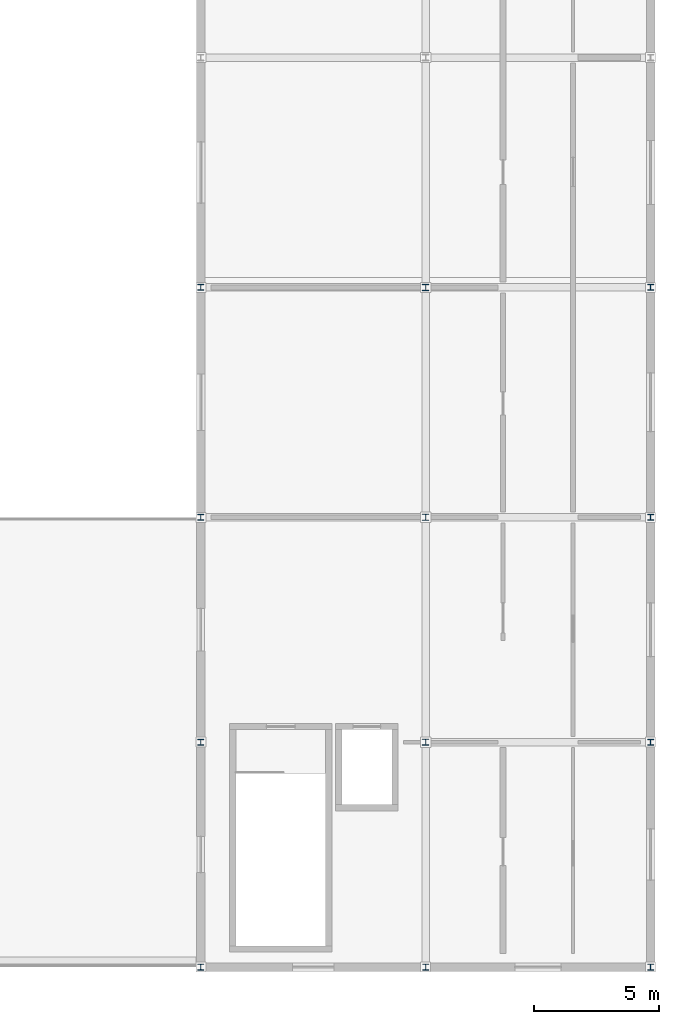
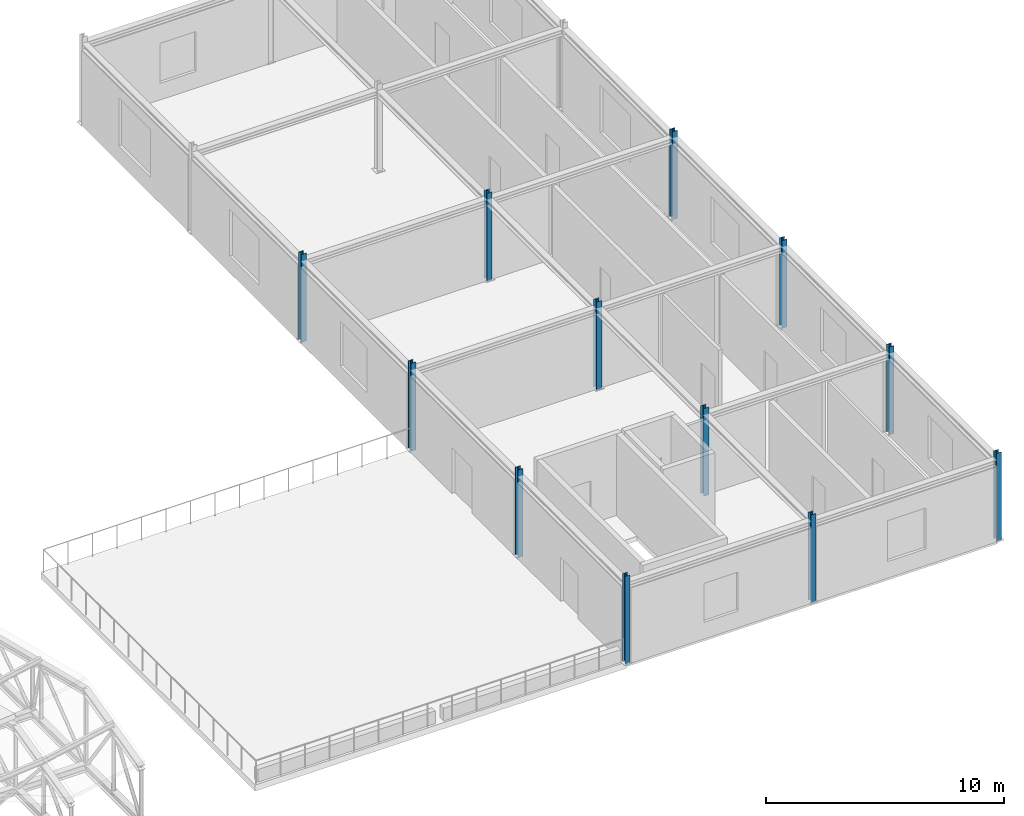
# One storey, part 4 of 55: 12 columns.
"""IFC4 building model written with IfcOpenShell, lengths in metres."""

from ifc_helpers import new_model, si_unit, direction, frame, origin, origin_2d, place, context, subcontext, project, spatial, i_section, extrude, material, material_profile, profile_set, type_object, element, save


model = new_model("IFC4")

# Units and contexts
model_context = context("Model", 3, precision=1e-05, world=origin(), true_north=direction((0.0, 1.0)))
body_context = subcontext(model_context, "Body", "Model", "MODEL_VIEW")
ifc_project = project(units=[si_unit("LENGTHUNIT", "METRE"), si_unit("AREAUNIT", "SQUARE_METRE"), si_unit("VOLUMEUNIT", "CUBIC_METRE"), si_unit("PLANEANGLEUNIT", "RADIAN"), si_unit("MASSUNIT", "GRAM", prefix="KILO")], contexts=[model_context])

# Site, building, storey
site_placement = place(None, origin())
site = spatial("IfcSite", under=ifc_project, at=site_placement, CompositionType="ELEMENT")
building_placement = place(site_placement, origin())
building = spatial("IfcBuilding", under=site, at=building_placement, Name="Bozkorgan Art Gallery", CompositionType="ELEMENT")
storey_placement = place(building_placement, frame((0.0, 0.0, 15.0)))
storey = spatial("IfcBuildingStorey", under=building, at=storey_placement, Name="L03", CompositionType="ELEMENT", Elevation=15.0)

# Columns
ifc_material = material(Name="Steel S355J2", Category="steel")
ifc_material_profile_1 = material_profile(ifc_material, i_section(OverallWidth=0.239990234375, OverallDepth=0.239990234375, WebThickness=0.010009765625, FlangeThickness=0.01708984375, FilletRadius=0.02099609375, at=origin_2d()), Name="HEB 240")
ifc_profile_set_1 = profile_set([ifc_material_profile_1], Name="Steel S355J2")
column_type_1 = type_object("IfcColumnType", Name="COLUMN-C-35", PredefinedType="COLUMN", material=ifc_profile_set_1)
for number, where, z_axis, x_axis, name in (
    (1, (146.0, 2.0, 0.0), (0.0, 0.0, 1.0), (1.0, 0.0, 0.0), "V6 L03 column (146.0, 2.0)"),
    (2, (146.0, 11.0, 0.0), (0.0, 0.0, 1.0), (1.0, 0.0, 0.0), "V6 L03 column (146.0, 11.0)"),
    (3, (146.0, 20.0, 0.0), (0.0, 0.0, 1.0), (1.0, 0.0, 0.0), "V6 L03 column (146.0, 20.0)"),
    (4, (146.0, 29.199951171875, 0.0), (0.0, 0.0, 1.0), (1.0, 0.0, 0.0), "V6 L03 column (146.0, 29.2)"),
    (5, (155.0, 2.0, 0.0), (0.0, 0.0, 1.0), (1.0, 0.0, 0.0), "V6 L03 column (155.0, 2.0)"),
    (6, (164.0, 2.0, 0.0), (0.0, 0.0, 1.0), (1.0, 0.0, 0.0), "V6 L03 column (164.0, 2.0)"),
    (7, (164.0, 11.0, 0.0), (0.0, 0.0, 1.0), (1.0, 0.0, 0.0), "V6 L03 column (164.0, 11.0)"),
    (8, (164.0, 20.0, 0.0), (0.0, 0.0, 1.0), (1.0, 0.0, 0.0), "V6 L03 column (164.0, 20.0)"),
    (9, (164.0, 29.199951171875, 0.0), (0.0, 0.0, 1.0), (1.0, 0.0, 0.0), "V6 L03 column (164.0, 29.2)"),
):
    element("IfcColumn", number, at=place(storey_placement, frame(where, z_axis=z_axis, x_axis=x_axis)), inside=storey, type_object=column_type_1, Name=name, PredefinedType="COLUMN", context=body_context, shape_type="SweptSolid", body=[
        extrude(i_section(OverallWidth=0.239990234375, OverallDepth=0.239990234375, WebThickness=0.010009765625, FlangeThickness=0.01708984375, FilletRadius=0.02099609375, at=origin_2d()), origin(), (0.0, 0.0, 1.0), 4.5),
    ])
ifc_material_profile_2 = material_profile(ifc_material, i_section(OverallWidth=0.260009765625, OverallDepth=0.25, WebThickness=0.007568359375, FlangeThickness=0.012451171875, FilletRadius=0.02392578125, at=origin_2d()), Name="HEA 260")
ifc_profile_set_2 = profile_set([ifc_material_profile_2], Name="Steel S355J2")
column_type_2 = type_object("IfcColumnType", Name="COLUMN-C-76", PredefinedType="COLUMN", material=ifc_profile_set_2)
for number, where, z_axis, x_axis, name in (
    (10, (155.0, 11.0, 0.0), (0.0, 0.0, 1.0), (1.0, 0.0, 0.0), "V6 L03 column (155.0, 11.0)"),
    (11, (155.0, 20.0, 0.0), (0.0, 0.0, 1.0), (1.0, 0.0, 0.0), "V6 L03 column (155.0, 20.0)"),
    (12, (155.0, 29.199951171875, 0.0), (0.0, 0.0, 1.0), (1.0, 0.0, 0.0), "V6 L03 column (155.0, 29.2)"),
):
    element("IfcColumn", number, at=place(storey_placement, frame(where, z_axis=z_axis, x_axis=x_axis)), inside=storey, type_object=column_type_2, Name=name, PredefinedType="COLUMN", context=body_context, shape_type="SweptSolid", body=[
        extrude(i_section(OverallWidth=0.260009765625, OverallDepth=0.25, WebThickness=0.007568359375, FlangeThickness=0.012451171875, FilletRadius=0.02392578125, at=origin_2d()), origin(), (0.0, 0.0, 1.0), 4.5),
    ])

save(model, "model.ifc")
